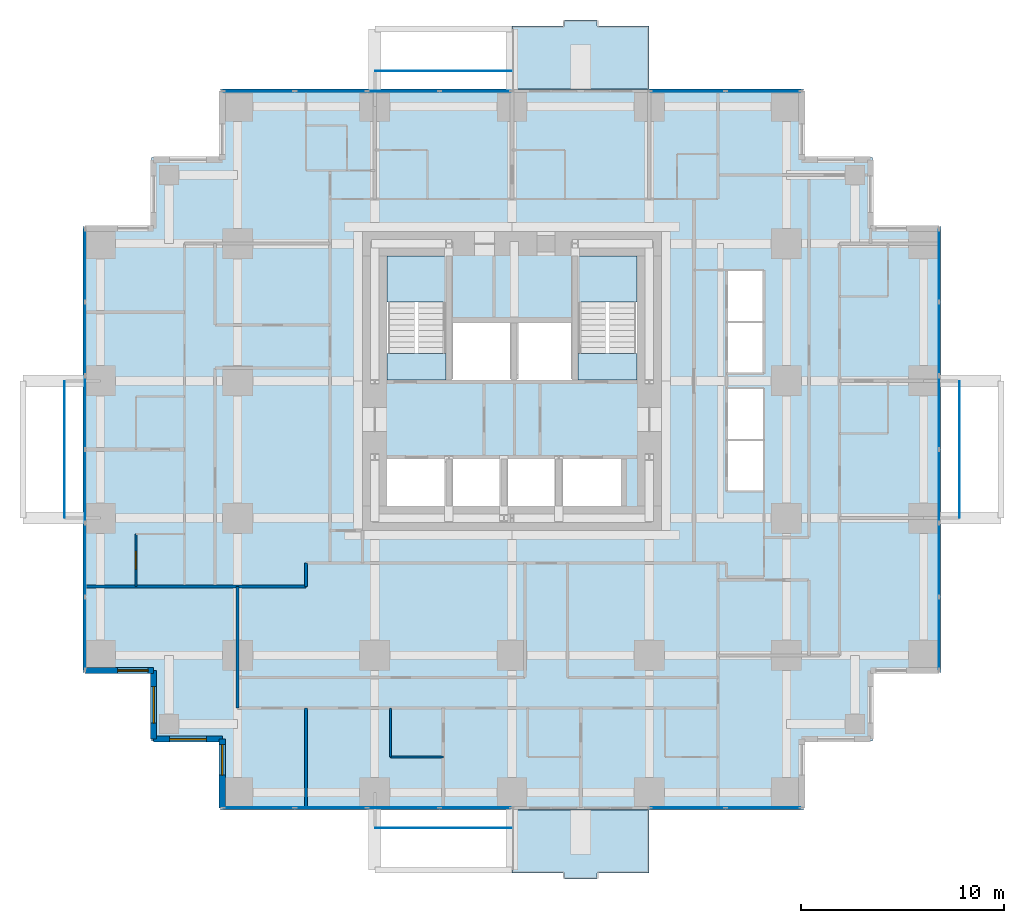
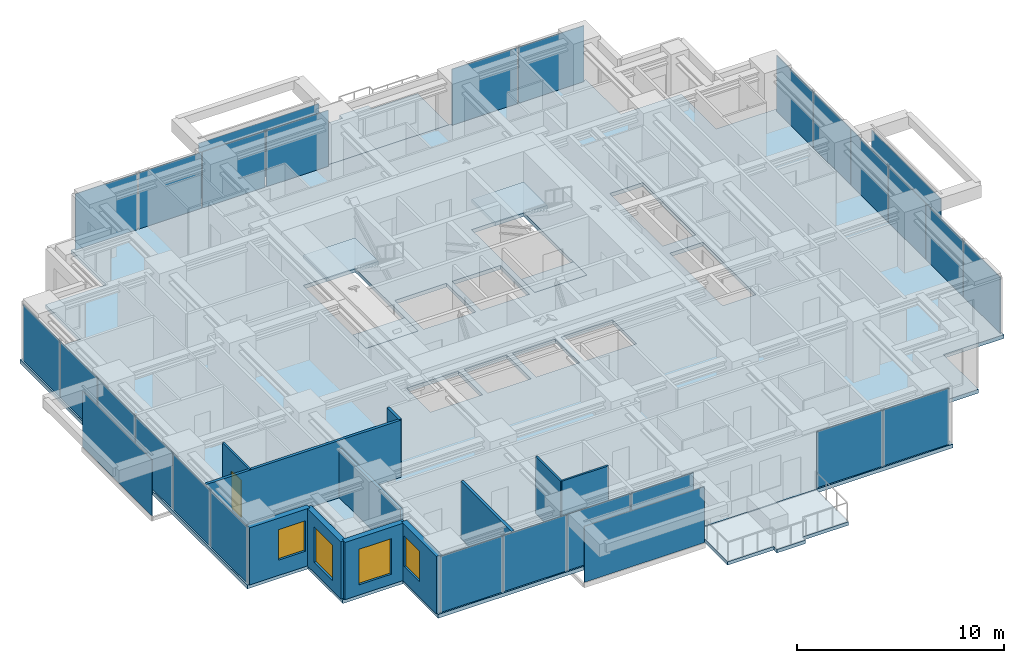
# One storey, part 6 of 12: 28 plates, 11 walls, 7 slabs, 4 windows, 1 door, 5 openings, 8 elements without a shape of their own.
"""IFC4 building model written with IfcOpenShell, lengths in metres."""

from ifc_helpers import new_model, si_unit, direction, frame, frame_2d, origin, origin_2d, place, context, subcontext, project, spatial, polyline, rectangle, outline, extrude, material, layer, layer_set, type_object, element, fill, aggregate, save


model = new_model("IFC4")

# Units and contexts
model_context = context("Model", 3, precision=1e-05, world=origin(), true_north=direction((0.0, 1.0)))
body_context = subcontext(model_context, "Body", "Model", "MODEL_VIEW")
ifc_project = project(units=[si_unit("LENGTHUNIT", "METRE"), si_unit("AREAUNIT", "SQUARE_METRE"), si_unit("VOLUMEUNIT", "CUBIC_METRE"), si_unit("PLANEANGLEUNIT", "RADIAN"), si_unit("MASSUNIT", "GRAM", prefix="KILO")], contexts=[model_context])

# Site, building, storey
site_placement = place(None, origin())
site = spatial("IfcSite", under=ifc_project, at=site_placement, CompositionType="ELEMENT")
building_placement = place(site_placement, origin())
building = spatial("IfcBuilding", under=site, at=building_placement, Name="Nyansa Garden Tower", CompositionType="ELEMENT")
storey_placement = place(building_placement, frame((0.0, 0.0, 112.5)))
storey = spatial("IfcBuildingStorey", under=building, at=storey_placement, Name="L30", CompositionType="ELEMENT", Elevation=112.5)

# Slabs
ifc_material_1 = material(Name="Concrete C40/50", Category="concrete")
ifc_layer_1 = layer(ifc_material_1, 0.199951171875)
ifc_layer_set_1 = layer_set([ifc_layer_1], Name="Balcony slab BS200")
slab_type_1 = type_object("IfcSlabType", Name="Balcony slab BS200", PredefinedType="FLOOR", material=ifc_layer_set_1)
slab_1_placement = place(storey_placement, frame((0.0, 0.0, -0.239990234375)))
element("IfcSlab", 1, at=slab_1_placement, inside=storey, type_object=slab_type_1, Name="Balcony L30 S", PredefinedType="FLOOR", context=body_context, shape_type="SweptSolid", body=[
    extrude(outline(polyline([(20.25, -0.85009765625), (27.0, -0.85009765625), (27.0, -3.949951171875), (24.425048828125, -3.949951171875), (24.425048828125, -4.25), (22.824951171875, -4.25), (22.824951171875, -3.949951171875), (20.25, -3.949951171875), (20.25, -0.85009765625)])), origin(), (0.0, 0.0, 1.0), 0.199951171875),
])
slab_2_placement = place(storey_placement, frame((0.0, 0.0, -0.239990234375)))
element("IfcSlab", 2, at=slab_2_placement, inside=storey, type_object=slab_type_1, Name="Balcony L30 N", PredefinedType="FLOOR", context=body_context, shape_type="SweptSolid", body=[
    extrude(outline(polyline([(20.25, 34.60009765625), (27.0, 34.60009765625), (27.0, 37.699951171875), (24.425048828125, 37.699951171875), (24.425048828125, 38.0), (22.824951171875, 38.0), (22.824951171875, 37.699951171875), (20.25, 37.699951171875), (20.25, 34.60009765625)])), origin(), (0.0, 0.0, 1.0), 0.199951171875),
])

# Curtain wall, plates
ifc_material_2 = material(Name="Black anodised aluminium, dark tinted double glazing", Category="aluminium")
curtain_wall_type = type_object("IfcCurtainWallType", Name="Inner skin curtain wall ISW-B", PredefinedType="USERDEFINED", material=ifc_material_2)
curtain_wall_1_placement = place(storey_placement, origin())
curtain_wall_1 = element("IfcCurtainWall", 3, at=curtain_wall_1_placement, inside=storey, type_object=curtain_wall_type, Name="Inner skin curtain wall L30 E", ObjectType="UNITISED CURTAIN WALL", PredefinedType="USERDEFINED")
ifc_material_3 = material(Name="Dark tinted laminated double glazing", Category="glass")
ifc_layer_2 = layer(ifc_material_3, 0.035888671875)
ifc_layer_set_2 = layer_set([ifc_layer_2], Name="Dark tinted vision panel VP-B")
plate_type_1 = type_object("IfcPlateType", Name="Dark tinted vision panel VP-B", PredefinedType="CURTAIN_PANEL", material=ifc_layer_set_2)
plate_1_placement = place(storey_placement, frame((41.25, 7.828857421875, 0.0), z_axis=(0.0, 0.0, 1.0), x_axis=(0.0, 1.0, 0.0)))
plate_1 = element("IfcPlate", 4, at=plate_1_placement, type_object=plate_type_1, Name="ISW-B panel 1", PredefinedType="CURTAIN_PANEL", context=body_context, shape_type="SweptSolid", body=[
    extrude(rectangle(XDim=3.527587890625, YDim=0.035888671875, at=origin_2d()), origin(), (0.0, 0.0, 1.0), 3.31005859375),
])
plate_2_placement = place(storey_placement, frame((41.25, 11.4375, 0.0), z_axis=(0.0, 0.0, 1.0), x_axis=(0.0, 1.0, 0.0)))
plate_2 = element("IfcPlate", 5, at=plate_2_placement, type_object=plate_type_1, Name="ISW-B panel 2", PredefinedType="CURTAIN_PANEL", context=body_context, shape_type="SweptSolid", body=[
    extrude(rectangle(XDim=3.56005859375, YDim=0.035888671875, at=origin_2d()), origin(), (0.0, 0.0, 1.0), 3.31005859375),
])
plate_3_placement = place(storey_placement, frame((41.25, 15.0625, 0.0), z_axis=(0.0, 0.0, 1.0), x_axis=(0.0, 1.0, 0.0)))
plate_3 = element("IfcPlate", 6, at=plate_3_placement, type_object=plate_type_1, Name="ISW-B panel 3", PredefinedType="CURTAIN_PANEL", context=body_context, shape_type="SweptSolid", body=[
    extrude(rectangle(XDim=3.56005859375, YDim=0.035888671875, at=origin_2d()), origin(), (0.0, 0.0, 1.0), 3.31005859375),
])
plate_4_placement = place(storey_placement, frame((41.25, 18.6875, 0.0), z_axis=(0.0, 0.0, 1.0), x_axis=(0.0, 1.0, 0.0)))
plate_4 = element("IfcPlate", 7, at=plate_4_placement, type_object=plate_type_1, Name="ISW-B panel 4", PredefinedType="CURTAIN_PANEL", context=body_context, shape_type="SweptSolid", body=[
    extrude(rectangle(XDim=3.56005859375, YDim=0.035888671875, at=origin_2d()), origin(), (0.0, 0.0, 1.0), 3.31005859375),
])
plate_5_placement = place(storey_placement, frame((41.25, 22.3125, 0.0), z_axis=(0.0, 0.0, 1.0), x_axis=(0.0, 1.0, 0.0)))
plate_5 = element("IfcPlate", 8, at=plate_5_placement, type_object=plate_type_1, Name="ISW-B panel 5", PredefinedType="CURTAIN_PANEL", context=body_context, shape_type="SweptSolid", body=[
    extrude(rectangle(XDim=3.56005859375, YDim=0.035888671875, at=origin_2d()), origin(), (0.0, 0.0, 1.0), 3.31005859375),
])
plate_6_placement = place(storey_placement, frame((41.25, 25.921142578125, 0.0), z_axis=(0.0, 0.0, 1.0), x_axis=(0.0, 1.0, 0.0)))
plate_6 = element("IfcPlate", 9, at=plate_6_placement, type_object=plate_type_1, Name="ISW-B panel 6", PredefinedType="CURTAIN_PANEL", context=body_context, shape_type="SweptSolid", body=[
    extrude(rectangle(XDim=3.527587890625, YDim=0.035888671875, at=origin_2d()), origin(), (0.0, 0.0, 1.0), 3.31005859375),
])
aggregate(curtain_wall_1, [plate_1, plate_2, plate_3, plate_4, plate_5, plate_6])

curtain_wall_2_placement = place(storey_placement, origin())
curtain_wall_2 = element("IfcCurtainWall", 10, at=curtain_wall_2_placement, inside=storey, type_object=curtain_wall_type, Name="Inner skin curtain wall L30 N", ObjectType="UNITISED CURTAIN WALL", PredefinedType="USERDEFINED")
plate_7_placement = place(storey_placement, frame((18.452392578125, 34.5, 0.0), z_axis=(0.0, 0.0, 1.0), x_axis=(-1.0, 0.0, 0.0)))
plate_7 = element("IfcPlate", 11, at=plate_7_placement, type_object=plate_type_1, Name="ISW-B panel 1", PredefinedType="CURTAIN_PANEL", context=body_context, shape_type="SweptSolid", body=[
    extrude(rectangle(XDim=3.465087890625, YDim=0.035888671875, at=origin_2d()), origin(), (0.0, 0.0, 1.0), 3.31005859375),
])
plate_8_placement = place(storey_placement, frame((14.90625, 34.5, 0.0), z_axis=(0.0, 0.0, 1.0), x_axis=(-1.0, 0.0, 0.0)))
plate_8 = element("IfcPlate", 12, at=plate_8_placement, type_object=plate_type_1, Name="ISW-B panel 2", PredefinedType="CURTAIN_PANEL", context=body_context, shape_type="SweptSolid", body=[
    extrude(rectangle(XDim=3.49755859375, YDim=0.035888671875, at=origin_2d()), origin(), (0.0, 0.0, 1.0), 3.31005859375),
])
plate_9_placement = place(storey_placement, frame((11.34375, 34.5, 0.0), z_axis=(0.0, 0.0, 1.0), x_axis=(-1.0, 0.0, 0.0)))
plate_9 = element("IfcPlate", 13, at=plate_9_placement, type_object=plate_type_1, Name="ISW-B panel 3", PredefinedType="CURTAIN_PANEL", context=body_context, shape_type="SweptSolid", body=[
    extrude(rectangle(XDim=3.49755859375, YDim=0.035888671875, at=origin_2d()), origin(), (0.0, 0.0, 1.0), 3.31005859375),
])
plate_10_placement = place(storey_placement, frame((7.797607421875, 34.5, 0.0), z_axis=(0.0, 0.0, 1.0), x_axis=(-1.0, 0.0, 0.0)))
plate_10 = element("IfcPlate", 14, at=plate_10_placement, type_object=plate_type_1, Name="ISW-B panel 4", PredefinedType="CURTAIN_PANEL", context=body_context, shape_type="SweptSolid", body=[
    extrude(rectangle(XDim=3.465087890625, YDim=0.035888671875, at=origin_2d()), origin(), (0.0, 0.0, 1.0), 3.31005859375),
])
aggregate(curtain_wall_2, [plate_7, plate_8, plate_9, plate_10])

curtain_wall_3_placement = place(storey_placement, origin())
curtain_wall_3 = element("IfcCurtainWall", 15, at=curtain_wall_3_placement, inside=storey, type_object=curtain_wall_type, Name="Inner skin curtain wall L30 N", ObjectType="UNITISED CURTAIN WALL", PredefinedType="USERDEFINED")
plate_11_placement = place(storey_placement, frame((32.608642578125, 34.5, 0.0), z_axis=(0.0, 0.0, 1.0), x_axis=(-1.0, 0.0, 0.0)))
plate_11 = element("IfcPlate", 16, at=plate_11_placement, type_object=plate_type_1, Name="ISW-B panel 1", PredefinedType="CURTAIN_PANEL", context=body_context, shape_type="SweptSolid", body=[
    extrude(rectangle(XDim=3.652587890625, YDim=0.035888671875, at=origin_2d()), origin(), (0.0, 0.0, 1.0), 3.31005859375),
])
plate_12_placement = place(storey_placement, frame((28.891357421875, 34.5, 0.0), z_axis=(0.0, 0.0, 1.0), x_axis=(-1.0, 0.0, 0.0)))
plate_12 = element("IfcPlate", 17, at=plate_12_placement, type_object=plate_type_1, Name="ISW-B panel 2", PredefinedType="CURTAIN_PANEL", context=body_context, shape_type="SweptSolid", body=[
    extrude(rectangle(XDim=3.652587890625, YDim=0.035888671875, at=origin_2d()), origin(), (0.0, 0.0, 1.0), 3.31005859375),
])
aggregate(curtain_wall_3, [plate_11, plate_12])

curtain_wall_4_placement = place(storey_placement, origin())
curtain_wall_4 = element("IfcCurtainWall", 18, at=curtain_wall_4_placement, inside=storey, type_object=curtain_wall_type, Name="Inner skin curtain wall L30 W", ObjectType="UNITISED CURTAIN WALL", PredefinedType="USERDEFINED")
plate_13_placement = place(storey_placement, frame((-0.75, 25.921142578125, 0.0), z_axis=(0.0, 0.0, 1.0), x_axis=(0.0, -1.0, 0.0)))
plate_13 = element("IfcPlate", 19, at=plate_13_placement, type_object=plate_type_1, Name="ISW-B panel 1", PredefinedType="CURTAIN_PANEL", context=body_context, shape_type="SweptSolid", body=[
    extrude(rectangle(XDim=3.527587890625, YDim=0.035888671875, at=origin_2d()), origin(), (0.0, 0.0, 1.0), 3.31005859375),
])
plate_14_placement = place(storey_placement, frame((-0.75, 22.3125, 0.0), z_axis=(0.0, 0.0, 1.0), x_axis=(0.0, -1.0, 0.0)))
plate_14 = element("IfcPlate", 20, at=plate_14_placement, type_object=plate_type_1, Name="ISW-B panel 2", PredefinedType="CURTAIN_PANEL", context=body_context, shape_type="SweptSolid", body=[
    extrude(rectangle(XDim=3.56005859375, YDim=0.035888671875, at=origin_2d()), origin(), (0.0, 0.0, 1.0), 3.31005859375),
])
plate_15_placement = place(storey_placement, frame((-0.75, 18.6875, 0.0), z_axis=(0.0, 0.0, 1.0), x_axis=(0.0, -1.0, 0.0)))
plate_15 = element("IfcPlate", 21, at=plate_15_placement, type_object=plate_type_1, Name="ISW-B panel 3", PredefinedType="CURTAIN_PANEL", context=body_context, shape_type="SweptSolid", body=[
    extrude(rectangle(XDim=3.56005859375, YDim=0.035888671875, at=origin_2d()), origin(), (0.0, 0.0, 1.0), 3.31005859375),
])
plate_16_placement = place(storey_placement, frame((-0.75, 15.0625, 0.0), z_axis=(0.0, 0.0, 1.0), x_axis=(0.0, -1.0, 0.0)))
plate_16 = element("IfcPlate", 22, at=plate_16_placement, type_object=plate_type_1, Name="ISW-B panel 4", PredefinedType="CURTAIN_PANEL", context=body_context, shape_type="SweptSolid", body=[
    extrude(rectangle(XDim=3.56005859375, YDim=0.035888671875, at=origin_2d()), origin(), (0.0, 0.0, 1.0), 3.31005859375),
])
plate_17_placement = place(storey_placement, frame((-0.75, 11.4375, 0.0), z_axis=(0.0, 0.0, 1.0), x_axis=(0.0, -1.0, 0.0)))
plate_17 = element("IfcPlate", 23, at=plate_17_placement, type_object=plate_type_1, Name="ISW-B panel 5", PredefinedType="CURTAIN_PANEL", context=body_context, shape_type="SweptSolid", body=[
    extrude(rectangle(XDim=3.56005859375, YDim=0.035888671875, at=origin_2d()), origin(), (0.0, 0.0, 1.0), 3.31005859375),
])
plate_18_placement = place(storey_placement, frame((-0.75, 7.828857421875, 0.0), z_axis=(0.0, 0.0, 1.0), x_axis=(0.0, -1.0, 0.0)))
plate_18 = element("IfcPlate", 24, at=plate_18_placement, type_object=plate_type_1, Name="ISW-B panel 6", PredefinedType="CURTAIN_PANEL", context=body_context, shape_type="SweptSolid", body=[
    extrude(rectangle(XDim=3.527587890625, YDim=0.035888671875, at=origin_2d()), origin(), (0.0, 0.0, 1.0), 3.31005859375),
])
aggregate(curtain_wall_4, [plate_13, plate_14, plate_15, plate_16, plate_17, plate_18])

curtain_wall_5_placement = place(storey_placement, origin())
curtain_wall_5 = element("IfcCurtainWall", 25, at=curtain_wall_5_placement, inside=storey, type_object=curtain_wall_type, Name="Inner skin curtain wall L30 S", ObjectType="UNITISED CURTAIN WALL", PredefinedType="USERDEFINED")
plate_19_placement = place(storey_placement, frame((7.797607421875, -0.75, 0.0), z_axis=(0.0, 0.0, 1.0), x_axis=(1.0, 0.0, 0.0)))
plate_19 = element("IfcPlate", 26, at=plate_19_placement, type_object=plate_type_1, Name="ISW-B panel 1", PredefinedType="CURTAIN_PANEL", context=body_context, shape_type="SweptSolid", body=[
    extrude(rectangle(XDim=3.465087890625, YDim=0.035888671875, at=origin_2d()), origin(), (0.0, 0.0, 1.0), 3.31005859375),
])
plate_20_placement = place(storey_placement, frame((11.34375, -0.75, 0.0), z_axis=(0.0, 0.0, 1.0), x_axis=(1.0, 0.0, 0.0)))
plate_20 = element("IfcPlate", 27, at=plate_20_placement, type_object=plate_type_1, Name="ISW-B panel 2", PredefinedType="CURTAIN_PANEL", context=body_context, shape_type="SweptSolid", body=[
    extrude(rectangle(XDim=3.49755859375, YDim=0.035888671875, at=origin_2d()), origin(), (0.0, 0.0, 1.0), 3.31005859375),
])
plate_21_placement = place(storey_placement, frame((14.90625, -0.75, 0.0), z_axis=(0.0, 0.0, 1.0), x_axis=(1.0, 0.0, 0.0)))
plate_21 = element("IfcPlate", 28, at=plate_21_placement, type_object=plate_type_1, Name="ISW-B panel 3", PredefinedType="CURTAIN_PANEL", context=body_context, shape_type="SweptSolid", body=[
    extrude(rectangle(XDim=3.49755859375, YDim=0.035888671875, at=origin_2d()), origin(), (0.0, 0.0, 1.0), 3.31005859375),
])
plate_22_placement = place(storey_placement, frame((18.452392578125, -0.75, 0.0), z_axis=(0.0, 0.0, 1.0), x_axis=(1.0, 0.0, 0.0)))
plate_22 = element("IfcPlate", 29, at=plate_22_placement, type_object=plate_type_1, Name="ISW-B panel 4", PredefinedType="CURTAIN_PANEL", context=body_context, shape_type="SweptSolid", body=[
    extrude(rectangle(XDim=3.465087890625, YDim=0.035888671875, at=origin_2d()), origin(), (0.0, 0.0, 1.0), 3.31005859375),
])
aggregate(curtain_wall_5, [plate_19, plate_20, plate_21, plate_22])

curtain_wall_6_placement = place(storey_placement, origin())
curtain_wall_6 = element("IfcCurtainWall", 30, at=curtain_wall_6_placement, inside=storey, type_object=curtain_wall_type, Name="Inner skin curtain wall L30 S", ObjectType="UNITISED CURTAIN WALL", PredefinedType="USERDEFINED")
plate_23_placement = place(storey_placement, frame((28.891357421875, -0.75, 0.0), z_axis=(0.0, 0.0, 1.0), x_axis=(1.0, 0.0, 0.0)))
plate_23 = element("IfcPlate", 31, at=plate_23_placement, type_object=plate_type_1, Name="ISW-B panel 1", PredefinedType="CURTAIN_PANEL", context=body_context, shape_type="SweptSolid", body=[
    extrude(rectangle(XDim=3.652587890625, YDim=0.035888671875, at=origin_2d()), origin(), (0.0, 0.0, 1.0), 3.31005859375),
])
plate_24_placement = place(storey_placement, frame((32.608642578125, -0.75, 0.0), z_axis=(0.0, 0.0, 1.0), x_axis=(1.0, 0.0, 0.0)))
plate_24 = element("IfcPlate", 32, at=plate_24_placement, type_object=plate_type_1, Name="ISW-B panel 2", PredefinedType="CURTAIN_PANEL", context=body_context, shape_type="SweptSolid", body=[
    extrude(rectangle(XDim=3.652587890625, YDim=0.035888671875, at=origin_2d()), origin(), (0.0, 0.0, 1.0), 3.31005859375),
])
aggregate(curtain_wall_6, [plate_23, plate_24])

# Slab
ifc_material_4 = material(Name="Concrete C40/50", Category="concrete")
ifc_layer_3 = layer(ifc_material_4, 0.22509765625)
ifc_layer_set_3 = layer_set([ifc_layer_3], Name="Floor slab FS225")
slab_type_2 = type_object("IfcSlabType", Name="Floor slab FS225", PredefinedType="FLOOR", material=ifc_layer_set_3)
slab_3_placement = place(storey_placement, frame((0.0, 0.0, -0.22509765625)))
element("IfcSlab", 33, at=slab_3_placement, inside=storey, type_object=slab_type_2, Name="Floor slab L30", PredefinedType="FLOOR", context=body_context, shape_type="SweptSolid", body=[
    extrude(outline(polyline([(41.35009765625, 5.89990234375), (37.97509765625, 5.89990234375), (37.97509765625, 2.52490234375), (34.60009765625, 2.52490234375), (34.60009765625, -0.85009765625), (5.89990234375, -0.85009765625), (5.89990234375, 2.52490234375), (2.52490234375, 2.52490234375), (2.52490234375, 5.89990234375), (-0.85009765625, 5.89990234375), (-0.85009765625, 27.85009765625), (2.52490234375, 27.85009765625), (2.52490234375, 31.22509765625), (5.89990234375, 31.22509765625), (5.89990234375, 34.60009765625), (34.60009765625, 34.60009765625), (34.60009765625, 31.22509765625), (37.97509765625, 31.22509765625), (37.97509765625, 27.85009765625), (41.35009765625, 27.85009765625), (41.35009765625, 5.89990234375)]), holes=[polyline([(14.10009765625, 14.10009765625), (17.0, 14.10009765625), (17.0, 16.39990234375), (14.10009765625, 16.39990234375), (14.10009765625, 14.10009765625)]), polyline([(17.300048828125, 14.10009765625), (19.699951171875, 14.10009765625), (19.699951171875, 16.39990234375), (17.300048828125, 16.39990234375), (17.300048828125, 14.10009765625)]), polyline([(20.0, 14.10009765625), (22.39990234375, 14.10009765625), (22.39990234375, 16.39990234375), (20.0, 16.39990234375), (20.0, 14.10009765625)]), polyline([(22.699951171875, 14.10009765625), (25.60009765625, 14.10009765625), (25.60009765625, 16.39990234375), (22.699951171875, 16.39990234375), (22.699951171875, 14.10009765625)]), polyline([(17.300048828125, 20.300048828125), (20.199951171875, 20.300048828125), (20.199951171875, 23.10009765625), (17.300048828125, 23.10009765625), (17.300048828125, 20.300048828125)]), polyline([(20.5, 20.300048828125), (23.199951171875, 20.300048828125), (23.199951171875, 23.10009765625), (20.5, 23.10009765625), (20.5, 20.300048828125)]), polyline([(30.800048828125, 14.800048828125), (32.64990234375, 14.800048828125), (32.64990234375, 19.89990234375), (30.800048828125, 19.89990234375), (30.800048828125, 14.800048828125)]), polyline([(30.800048828125, 20.60009765625), (32.64990234375, 20.60009765625), (32.64990234375, 25.699951171875), (30.800048828125, 25.699951171875), (30.800048828125, 20.60009765625)]), polyline([(14.10009765625, 20.300048828125), (17.0, 20.300048828125), (17.0, 26.39990234375), (14.10009765625, 26.39990234375), (14.10009765625, 20.300048828125)]), polyline([(23.5, 20.300048828125), (26.39990234375, 20.300048828125), (26.39990234375, 26.39990234375), (23.5, 26.39990234375), (23.5, 20.300048828125)])]), origin(), (0.0, 0.0, 1.0), 0.22509765625),
])

# Plates
ifc_material_5 = material(Name="Dark tinted laminated glass", Category="glass")
ifc_layer_4 = layer(ifc_material_5, 0.02392578125)
ifc_layer_set_4 = layer_set([ifc_layer_4], Name="Outer skin glass panel OS1")
plate_type_2 = type_object("IfcPlateType", Name="Outer skin glass panel OS1", PredefinedType="USERDEFINED", material=ifc_layer_set_4)
for number, where, z_axis, x_axis, name in (
    (34, (42.25, 16.875, -0.22509765625), (0.0, 0.0, 1.0), (0.0, 1.0, 0.0), "Outer skin glass panel L30"),
    (35, (16.875, 35.5, -0.22509765625), (0.0, 0.0, 1.0), (1.0, 0.0, 0.0), "Outer skin glass panel L30"),
    (36, (-1.75, 16.875, -0.22509765625), (0.0, 0.0, 1.0), (0.0, 1.0, 0.0), "Outer skin glass panel L30"),
    (37, (16.875, -1.75, -0.22509765625), (0.0, 0.0, 1.0), (1.0, 0.0, 0.0), "Outer skin glass panel L30"),
):
    element("IfcPlate", number, at=place(storey_placement, frame(where, z_axis=z_axis, x_axis=x_axis)), inside=storey, type_object=plate_type_2, Name=name, ObjectType="OUTER SKIN GLASS", PredefinedType="USERDEFINED", context=body_context, shape_type="SweptSolid", body=[
        extrude(rectangle(XDim=6.7099609375, YDim=0.02392578125, at=origin_2d()), origin(), (0.0, 0.0, 1.0), 3.300048828125),
    ])

# Stair, slabs
ifc_material_6 = material(Name="Precast concrete C40/50", Category="concrete")
stair_type_1 = type_object("IfcStairType", Name="Stair S1 180x280", PredefinedType="HALF_TURN_STAIR", material=ifc_material_6)
stair_1_placement = place(storey_placement, origin())
stair_1 = element("IfcStair", 38, at=stair_1_placement, inside=storey, type_object=stair_type_1, Name="Stair S1 L30", PredefinedType="HALF_TURN_STAIR")
ifc_material_7 = material(Name="Concrete C40/50", Category="concrete")
ifc_layer_5 = layer(ifc_material_7, 0.199951171875)
ifc_layer_set_5 = layer_set([ifc_layer_5], Name="Stair landing SL200")
slab_type_3 = type_object("IfcSlabType", Name="Stair landing SL200", PredefinedType="LANDING", material=ifc_layer_set_5)
slab_4_placement = place(storey_placement, frame((0.0, 0.0, -0.199951171875)))
slab_4 = element("IfcSlab", 39, at=slab_4_placement, type_object=slab_type_3, Name="S1 landing 1", PredefinedType="LANDING", context=body_context, shape_type="SweptSolid", body=[
    extrude(outline(polyline([(14.10009765625, 20.300048828125), (17.0, 20.300048828125), (17.0, 21.60009765625), (14.10009765625, 21.60009765625), (14.10009765625, 20.300048828125)])), origin(), (0.0, 0.0, 1.0), 0.199951171875),
])
slab_5_placement = place(storey_placement, frame((0.0, 0.0, 1.60009765625)))
slab_5 = element("IfcSlab", 40, at=slab_5_placement, type_object=slab_type_3, Name="S1 landing 2", PredefinedType="LANDING", context=body_context, shape_type="SweptSolid", body=[
    extrude(outline(polyline([(14.10009765625, 24.1201171875), (17.0, 24.1201171875), (17.0, 26.39990234375), (14.10009765625, 26.39990234375), (14.10009765625, 24.1201171875)])), origin(), (0.0, 0.0, 1.0), 0.199951171875),
])
aggregate(stair_1, [slab_4, slab_5])

ifc_material_8 = material(Name="Precast concrete C40/50", Category="concrete")
stair_type_2 = type_object("IfcStairType", Name="Stair S2 180x280", PredefinedType="HALF_TURN_STAIR", material=ifc_material_8)
stair_2_placement = place(storey_placement, origin())
stair_2 = element("IfcStair", 41, at=stair_2_placement, inside=storey, type_object=stair_type_2, Name="Stair S2 L30", PredefinedType="HALF_TURN_STAIR")
slab_6_placement = place(storey_placement, frame((0.0, 0.0, -0.199951171875)))
slab_6 = element("IfcSlab", 42, at=slab_6_placement, type_object=slab_type_3, Name="S2 landing 1", PredefinedType="LANDING", context=body_context, shape_type="SweptSolid", body=[
    extrude(outline(polyline([(23.5, 20.300048828125), (26.39990234375, 20.300048828125), (26.39990234375, 21.60009765625), (23.5, 21.60009765625), (23.5, 20.300048828125)])), origin(), (0.0, 0.0, 1.0), 0.199951171875),
])
slab_7_placement = place(storey_placement, frame((0.0, 0.0, 1.60009765625)))
slab_7 = element("IfcSlab", 43, at=slab_7_placement, type_object=slab_type_3, Name="S2 landing 2", PredefinedType="LANDING", context=body_context, shape_type="SweptSolid", body=[
    extrude(outline(polyline([(23.5, 24.1201171875), (26.39990234375, 24.1201171875), (26.39990234375, 26.39990234375), (23.5, 26.39990234375), (23.5, 24.1201171875)])), origin(), (0.0, 0.0, 1.0), 0.199951171875),
])
aggregate(stair_2, [slab_6, slab_7])

# Walls
ifc_material_9 = material(Name="Blockwork, plastered both sides", Category="masonry")
ifc_layer_6 = layer(ifc_material_9, 0.14990234375)
ifc_layer_set_6 = layer_set([ifc_layer_6], Name="Partition PW150")
wall_type_1 = type_object("IfcWallType", Name="Partition PW150", PredefinedType="PARTITIONING", material=ifc_layer_set_6)
wall_1_placement = place(storey_placement, frame((-0.73388671875, 10.125, 0.0), z_axis=(0.0, 0.0, 1.0), x_axis=(1.0, 0.0, 0.0)))
element("IfcWall", 44, at=wall_1_placement, inside=storey, type_object=wall_type_1, Name="Partition", PredefinedType="PARTITIONING", context=body_context, shape_type="SweptSolid", body=[
    extrude(rectangle(XDim=10.85888671875, YDim=0.14990234375, at=frame_2d((5.429443359375, 0.0))), origin(), (0.0, 0.0, 1.0), 3.375),
])
wall_2_placement = place(storey_placement, frame((6.75, 4.14990234375, 0.0), z_axis=(0.0, 0.0, 1.0), x_axis=(0.0, 1.0, 0.0)))
element("IfcWall", 45, at=wall_2_placement, inside=storey, type_object=wall_type_1, Name="Partition", PredefinedType="PARTITIONING", context=body_context, shape_type="SweptSolid", body=[
    extrude(rectangle(XDim=5.97509765625, YDim=0.14990234375, at=frame_2d((2.987548828125, 0.0))), origin(), (0.0, 0.0, 1.0), 2.876953125),
])
wall_3_placement = place(storey_placement, frame((10.125, -0.73388671875, 0.0), z_axis=(0.0, 0.0, 1.0), x_axis=(0.0, 1.0, 0.0)))
element("IfcWall", 46, at=wall_3_placement, inside=storey, type_object=wall_type_1, Name="Partition", PredefinedType="PARTITIONING", context=body_context, shape_type="SweptSolid", body=[
    extrude(rectangle(XDim=4.8837890625, YDim=0.14990234375, at=frame_2d((2.44189453125, 0.0))), origin(), (0.0, 0.0, 1.0), 3.375),
])
wall_4_placement = place(storey_placement, frame((10.125, 10.125, 0.0), z_axis=(0.0, 0.0, 1.0), x_axis=(0.0, 1.0, 0.0)))
element("IfcWall", 47, at=wall_4_placement, inside=storey, type_object=wall_type_1, Name="Partition", PredefinedType="PARTITIONING", context=body_context, shape_type="SweptSolid", body=[
    extrude(rectangle(XDim=1.175048828125, YDim=0.14990234375, at=frame_2d((0.58740234375, 0.0))), origin(), (0.0, 0.0, 1.0), 3.375),
])

# Wall, opening, window
ifc_material_10 = material(Name="Turquoise glazed tile on concrete blockwork", Category="masonry")
ifc_layer_7 = layer(ifc_material_10, 0.300048828125)
ifc_layer_set_7 = layer_set([ifc_layer_7], Name="Tiled corner wall TW300")
wall_type_2 = type_object("IfcWallType", Name="Tiled corner wall TW300", PredefinedType="SOLIDWALL", material=ifc_layer_set_7)
wall_5_placement = place(storey_placement, frame((-0.75, 6.0, 0.0), z_axis=(0.0, 0.0, 1.0), x_axis=(1.0, 0.0, 0.0)))
wall_5 = element("IfcWall", 48, at=wall_5_placement, inside=storey, type_object=wall_type_2, Name="Tiled corner wall L30", PredefinedType="SOLIDWALL", context=body_context, shape_type="SweptSolid", body=[
    extrude(rectangle(XDim=3.375, YDim=0.300048828125, at=frame_2d((1.6875, 0.0))), origin(), (0.0, 0.0, 1.0), 3.375),
])
opening_1_placement = place(wall_5_placement, frame((1.607421875, 0.0, 0.89990234375)))
opening_1 = element("IfcOpeningElement", 49, at=opening_1_placement, cuts=wall_5, Name="Opening W1", PredefinedType="OPENING", context=body_context, shape_type="SweptSolid", body=[
    extrude(rectangle(XDim=1.5, YDim=1.800048828125, at=frame_2d((0.75, 0.89990234375))), frame((0.0, 0.159912109375, 0.0), z_axis=(0.0, -1.0, 0.0), x_axis=(1.0, 0.0, 0.0)), (0.0, 0.0, 1.0), 0.320068359375),
])
ifc_material_11 = material(Name="Black aluminium frame, dark tinted double glazing", Category="aluminium")
window_type_1 = type_object("IfcWindowType", Name="Window W1 1500x1800", PartitioningType="SINGLE_PANEL", PredefinedType="WINDOW", material=ifc_material_11)
window_1_placement = place(opening_1_placement, origin())
window_1 = element("IfcWindow", 50, at=window_1_placement, inside=storey, type_object=window_type_1, Name="Corner window L30", OverallHeight=1.800048828125, OverallWidth=1.5, PartitioningType="SINGLE_PANEL", PredefinedType="WINDOW", context=body_context, shape_type="SweptSolid", body=[
    extrude(rectangle(XDim=1.5, YDim=1.800048828125, at=frame_2d((0.75, 0.89990234375))), frame((0.0, 0.030029296875, 0.0), z_axis=(0.0, -1.0, 0.0), x_axis=(1.0, 0.0, 0.0)), (0.0, 0.0, 1.0), 0.06005859375),
])
fill(opening_1, window_1)

wall_6_placement = place(storey_placement, frame((2.625, 6.0, 0.0), z_axis=(0.0, 0.0, 1.0), x_axis=(0.0, -1.0, 0.0)))
wall_6 = element("IfcWall", 51, at=wall_6_placement, inside=storey, type_object=wall_type_2, Name="Tiled corner wall L30", PredefinedType="SOLIDWALL", context=body_context, shape_type="SweptSolid", body=[
    extrude(rectangle(XDim=3.375, YDim=0.300048828125, at=frame_2d((1.6875, 0.0))), origin(), (0.0, 0.0, 1.0), 3.375),
])
opening_2_placement = place(wall_6_placement, frame((0.78759765625, 0.0, 0.60009765625)))
opening_2 = element("IfcOpeningElement", 52, at=opening_2_placement, cuts=wall_6, Name="Opening W2", PredefinedType="OPENING", context=body_context, shape_type="SweptSolid", body=[
    extrude(rectangle(XDim=1.800048828125, YDim=2.10009765625, at=frame_2d((0.89990234375, 1.050048828125))), frame((0.0, 0.159912109375, 0.0), z_axis=(0.0, -1.0, 0.0), x_axis=(1.0, 0.0, 0.0)), (0.0, 0.0, 1.0), 0.320068359375),
])
ifc_material_12 = material(Name="Black aluminium frame, dark tinted double glazing", Category="aluminium")
window_type_2 = type_object("IfcWindowType", Name="Window W2 1800x2100", PartitioningType="SINGLE_PANEL", PredefinedType="WINDOW", material=ifc_material_12)
window_2_placement = place(opening_2_placement, origin())
window_2 = element("IfcWindow", 53, at=window_2_placement, inside=storey, type_object=window_type_2, Name="Corner window L30", OverallHeight=2.10009765625, OverallWidth=1.800048828125, PartitioningType="SINGLE_PANEL", PredefinedType="WINDOW", context=body_context, shape_type="SweptSolid", body=[
    extrude(rectangle(XDim=1.800048828125, YDim=2.10009765625, at=frame_2d((0.89990234375, 1.050048828125))), frame((0.0, 0.030029296875, 0.0), z_axis=(0.0, -1.0, 0.0), x_axis=(1.0, 0.0, 0.0)), (0.0, 0.0, 1.0), 0.06005859375),
])
fill(opening_2, window_2)

wall_7_placement = place(storey_placement, frame((2.625, 2.625, 0.0), z_axis=(0.0, 0.0, 1.0), x_axis=(1.0, 0.0, 0.0)))
wall_7 = element("IfcWall", 54, at=wall_7_placement, inside=storey, type_object=wall_type_2, Name="Tiled corner wall L30", PredefinedType="SOLIDWALL", context=body_context, shape_type="SweptSolid", body=[
    extrude(rectangle(XDim=3.375, YDim=0.300048828125, at=frame_2d((1.6875, 0.0))), origin(), (0.0, 0.0, 1.0), 3.375),
])
opening_3_placement = place(wall_7_placement, frame((0.78759765625, 0.0, 0.60009765625)))
opening_3 = element("IfcOpeningElement", 55, at=opening_3_placement, cuts=wall_7, Name="Opening W2", PredefinedType="OPENING", context=body_context, shape_type="SweptSolid", body=[
    extrude(rectangle(XDim=1.800048828125, YDim=2.10009765625, at=frame_2d((0.89990234375, 1.050048828125))), frame((0.0, 0.159912109375, 0.0), z_axis=(0.0, -1.0, 0.0), x_axis=(1.0, 0.0, 0.0)), (0.0, 0.0, 1.0), 0.320068359375),
])
window_3_placement = place(opening_3_placement, origin())
window_3 = element("IfcWindow", 56, at=window_3_placement, inside=storey, type_object=window_type_2, Name="Corner window L30", OverallHeight=2.10009765625, OverallWidth=1.800048828125, PartitioningType="SINGLE_PANEL", PredefinedType="WINDOW", context=body_context, shape_type="SweptSolid", body=[
    extrude(rectangle(XDim=1.800048828125, YDim=2.10009765625, at=frame_2d((0.89990234375, 1.050048828125))), frame((0.0, 0.030029296875, 0.0), z_axis=(0.0, -1.0, 0.0), x_axis=(1.0, 0.0, 0.0)), (0.0, 0.0, 1.0), 0.06005859375),
])
fill(opening_3, window_3)

wall_8_placement = place(storey_placement, frame((6.0, 2.625, 0.0), z_axis=(0.0, 0.0, 1.0), x_axis=(0.0, -1.0, 0.0)))
wall_8 = element("IfcWall", 57, at=wall_8_placement, inside=storey, type_object=wall_type_2, Name="Tiled corner wall L30", PredefinedType="SOLIDWALL", context=body_context, shape_type="SweptSolid", body=[
    extrude(rectangle(XDim=3.375, YDim=0.300048828125, at=frame_2d((1.6875, 0.0))), origin(), (0.0, 0.0, 1.0), 3.375),
])
opening_4_placement = place(wall_8_placement, frame((0.267578125, 0.0, 0.89990234375)))
opening_4 = element("IfcOpeningElement", 58, at=opening_4_placement, cuts=wall_8, Name="Opening W1", PredefinedType="OPENING", context=body_context, shape_type="SweptSolid", body=[
    extrude(rectangle(XDim=1.5, YDim=1.800048828125, at=frame_2d((0.75, 0.89990234375))), frame((0.0, 0.159912109375, 0.0), z_axis=(0.0, -1.0, 0.0), x_axis=(1.0, 0.0, 0.0)), (0.0, 0.0, 1.0), 0.320068359375),
])
window_4_placement = place(opening_4_placement, origin())
window_4 = element("IfcWindow", 59, at=window_4_placement, inside=storey, type_object=window_type_1, Name="Corner window L30", OverallHeight=1.800048828125, OverallWidth=1.5, PartitioningType="SINGLE_PANEL", PredefinedType="WINDOW", context=body_context, shape_type="SweptSolid", body=[
    extrude(rectangle(XDim=1.5, YDim=1.800048828125, at=frame_2d((0.75, 0.89990234375))), frame((0.0, 0.030029296875, 0.0), z_axis=(0.0, -1.0, 0.0), x_axis=(1.0, 0.0, 0.0)), (0.0, 0.0, 1.0), 0.06005859375),
])
fill(opening_4, window_4)

# Wall, opening, door
ifc_material_13 = material(Name="Moisture resistant board on steel studs, tiled", Category="steel")
ifc_layer_8 = layer(ifc_material_13, 0.10009765625)
ifc_layer_set_8 = layer_set([ifc_layer_8], Name="Wet wall PW100")
wall_type_3 = type_object("IfcWallType", Name="Wet wall PW100", PredefinedType="PARTITIONING", material=ifc_layer_set_8)
wall_9_placement = place(storey_placement, frame((1.75, 10.125, 0.0), z_axis=(0.0, 0.0, 1.0), x_axis=(0.0, 1.0, 0.0)))
wall_9 = element("IfcWall", 60, at=wall_9_placement, inside=storey, type_object=wall_type_3, Name="Wet wall", PredefinedType="PARTITIONING", context=body_context, shape_type="SweptSolid", body=[
    extrude(rectangle(XDim=2.60009765625, YDim=0.10009765625, at=frame_2d((1.300048828125, 0.0))), origin(), (0.0, 0.0, 1.0), 3.375),
])
opening_5_placement = place(wall_9_placement, frame((0.85009765625, 0.0, 0.0)))
opening_5 = element("IfcOpeningElement", 61, at=opening_5_placement, cuts=wall_9, Name="Opening D02", PredefinedType="OPENING", context=body_context, shape_type="SweptSolid", body=[
    extrude(rectangle(XDim=0.89990234375, YDim=2.199951171875, at=frame_2d((0.449951171875, 1.10009765625))), frame((0.0, 0.06005859375, 0.0), z_axis=(0.0, -1.0, 0.0), x_axis=(1.0, 0.0, 0.0)), (0.0, 0.0, 1.0), 0.1201171875),
])
ifc_material_14 = material(Name="Timber flush door", Category="wood")
door_type = type_object("IfcDoorType", Name="En-suite door D02 900x2200", OperationType="SINGLE_SWING_RIGHT", PredefinedType="DOOR", material=ifc_material_14)
door_placement = place(opening_5_placement, origin())
door = element("IfcDoor", 62, at=door_placement, inside=storey, type_object=door_type, Name="Door L30-048", OperationType="SINGLE_SWING_RIGHT", OverallHeight=2.199951171875, OverallWidth=0.89990234375, PredefinedType="DOOR", context=body_context, shape_type="SweptSolid", body=[
    extrude(rectangle(XDim=0.89990234375, YDim=2.199951171875, at=frame_2d((0.449951171875, 1.10009765625))), frame((0.0, 0.02490234375, 0.0), z_axis=(0.0, -1.0, 0.0), x_axis=(1.0, 0.0, 0.0)), (0.0, 0.0, 1.0), 0.050048828125),
])
fill(opening_5, door)

# Walls
wall_10_placement = place(storey_placement, frame((14.27490234375, 1.75, 0.0), z_axis=(0.0, 0.0, 1.0), x_axis=(0.0, 1.0, 0.0)))
element("IfcWall", 63, at=wall_10_placement, inside=storey, type_object=wall_type_3, Name="Wet wall", PredefinedType="PARTITIONING", context=body_context, shape_type="SweptSolid", body=[
    extrude(rectangle(XDim=2.39990234375, YDim=0.10009765625, at=frame_2d((1.199951171875, 0.0))), origin(), (0.0, 0.0, 1.0), 3.375),
])
wall_11_placement = place(storey_placement, frame((14.27490234375, 1.75, 0.0), z_axis=(0.0, 0.0, 1.0), x_axis=(1.0, 0.0, 0.0)))
element("IfcWall", 64, at=wall_11_placement, inside=storey, type_object=wall_type_3, Name="Wet wall", PredefinedType="PARTITIONING", context=body_context, shape_type="SweptSolid", body=[
    extrude(rectangle(XDim=2.60009765625, YDim=0.10009765625, at=frame_2d((1.300048828125, 0.0))), origin(), (0.0, 0.0, 1.0), 3.375),
])

save(model, "model.ifc")
